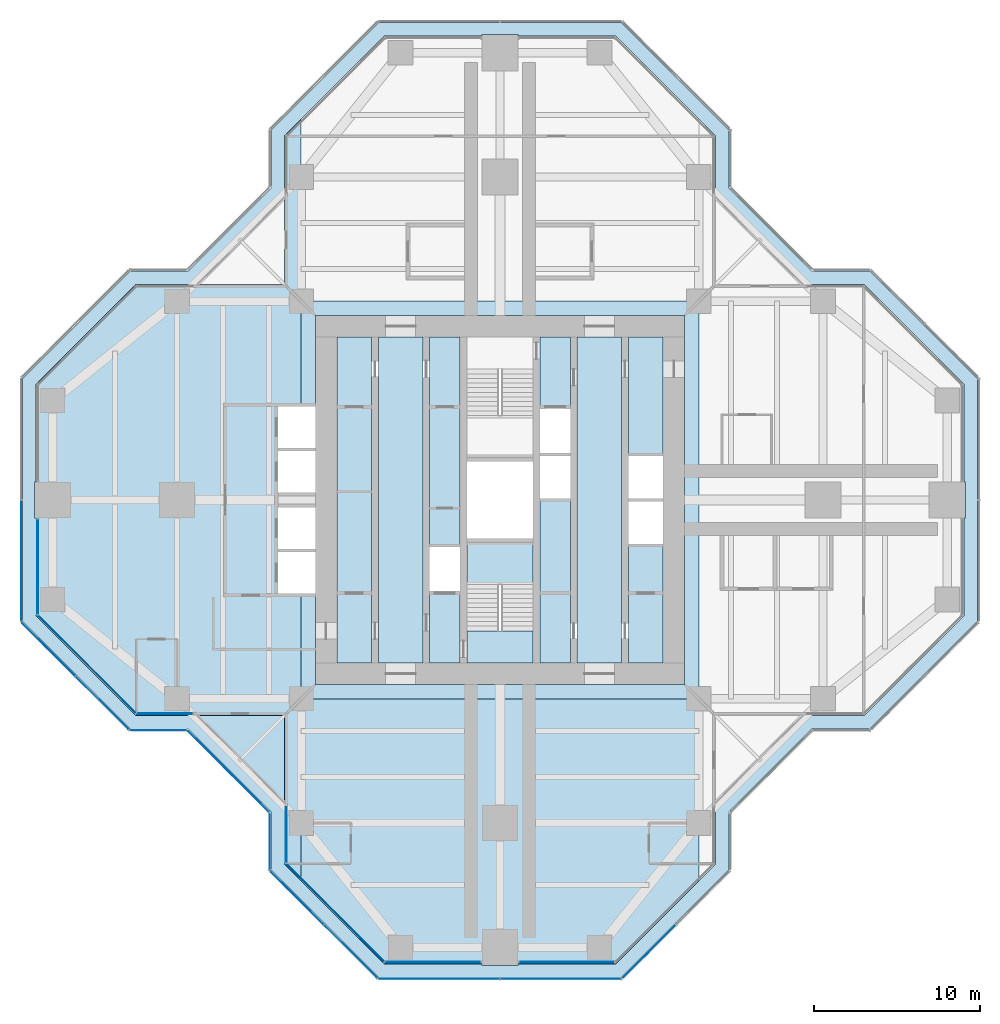
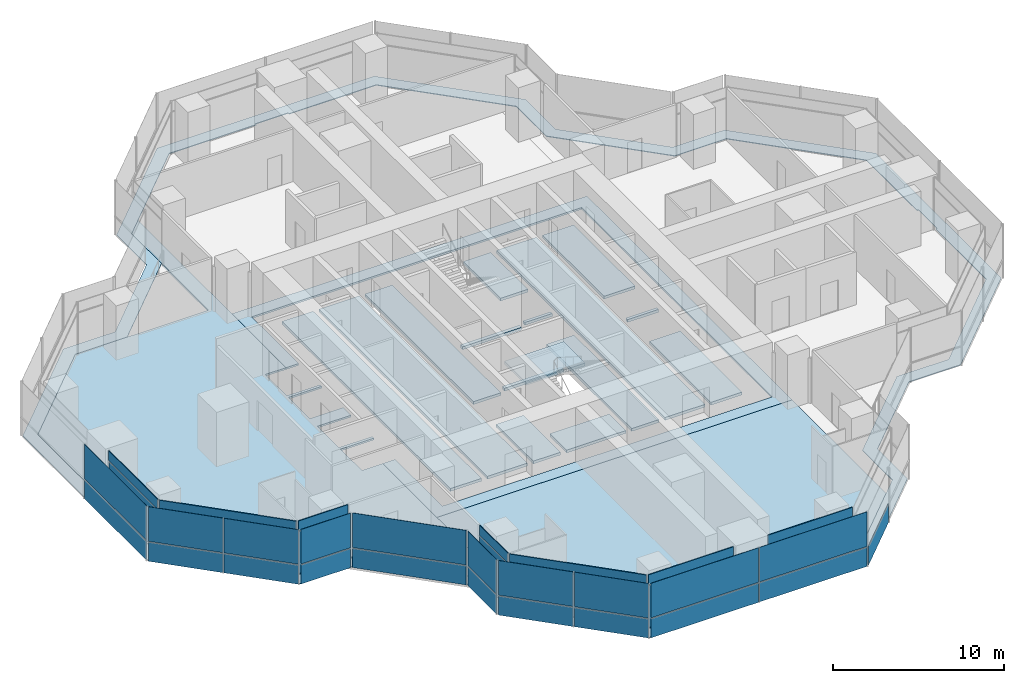
# One storey, part 10 of 17: 36 plates, 7 slabs, 16 elements without a shape of their own.
"""IFC4 building model written with IfcOpenShell, lengths in metres."""

from ifc_helpers import new_model, si_unit, direction, frame, origin, origin_2d, place, context, subcontext, project, spatial, polyline, rectangle, outline, extrude, material, layer, layer_set, type_object, element, aggregate, save


model = new_model("IFC4")

# Units and contexts
model_context = context("Model", 3, precision=1e-05, world=origin(), true_north=direction((0.0, 1.0)))
body_context = subcontext(model_context, "Body", "Model", "MODEL_VIEW")
ifc_project = project(units=[si_unit("LENGTHUNIT", "METRE"), si_unit("AREAUNIT", "SQUARE_METRE"), si_unit("VOLUMEUNIT", "CUBIC_METRE"), si_unit("PLANEANGLEUNIT", "RADIAN"), si_unit("MASSUNIT", "GRAM", prefix="KILO")], contexts=[model_context])

# Site, building, storey
site_placement = place(None, origin())
site = spatial("IfcSite", under=ifc_project, at=site_placement, CompositionType="ELEMENT")
building_placement = place(site_placement, origin())
building = spatial("IfcBuilding", under=site, at=building_placement, Name="Mizan Broadcast Tower", CompositionType="ELEMENT")
storey_placement = place(building_placement, frame((0.0, 0.0, 228.300048828125)))
storey = spatial("IfcBuildingStorey", under=building, at=storey_placement, Name="L53", CompositionType="ELEMENT", Elevation=228.300048828125)

# Plate
ifc_material_1 = material(Name="Aluminium grating", Category="aluminium")
ifc_layer_1 = layer(ifc_material_1, 0.050048828125)
ifc_layer_set_1 = layer_set([ifc_layer_1], Name="Aluminium grating")
plate_type_1 = type_object("IfcPlateType", Name="CAVITY GRATING", PredefinedType="USERDEFINED", material=ifc_layer_set_1)
plate_1_placement = place(storey_placement, frame((0.0, 0.0, -0.050048828125)))
element("IfcPlate", 1, at=plate_1_placement, inside=storey, type_object=plate_type_1, Name="Cavity grating L53", ObjectType="GRATING", PredefinedType="USERDEFINED", context=body_context, shape_type="SweptSolid", body=[
    extrude(outline(polyline([(13.820068359375, -18.839599609375), (18.839599609375, -13.820068359375), (22.339599609375, -13.820068359375), (28.820068359375, -7.339599609375), (28.820068359375, 7.339599609375), (22.339599609375, 13.820068359375), (18.839599609375, 13.820068359375), (13.820068359375, 18.839599609375), (13.820068359375, 22.339599609375), (7.339599609375, 28.820068359375), (-7.339599609375, 28.820068359375), (-13.820068359375, 22.339599609375), (-13.820068359375, 18.839599609375), (-18.839599609375, 13.820068359375), (-22.339599609375, 13.820068359375), (-28.820068359375, 7.339599609375), (-28.820068359375, -7.339599609375), (-22.339599609375, -13.820068359375), (-18.839599609375, -13.820068359375), (-13.820068359375, -18.839599609375), (-13.820068359375, -22.339599609375), (-7.339599609375, -28.820068359375), (7.339599609375, -28.820068359375), (13.820068359375, -22.339599609375), (13.820068359375, -18.839599609375)]), holes=[polyline([(28.0, -1.10009765625), (28.0, -7.0), (22.0, -13.0), (18.5, -13.0), (13.0, -18.5), (13.0, -22.0), (7.0, -28.0), (1.10009765625, -28.0), (1.10009765625, -28.10009765625), (-1.10009765625, -28.10009765625), (-1.10009765625, -28.0), (-7.0, -28.0), (-13.0, -22.0), (-13.0, -18.5), (-18.5, -13.0), (-22.0, -13.0), (-28.0, -7.0), (-28.0, -1.10009765625), (-28.10009765625, -1.10009765625), (-28.10009765625, 1.10009765625), (-28.0, 1.10009765625), (-28.0, 7.0), (-22.0, 13.0), (-18.5, 13.0), (-13.0, 18.5), (-13.0, 22.0), (-7.0, 28.0), (-1.10009765625, 28.0), (-1.10009765625, 28.10009765625), (1.10009765625, 28.10009765625), (1.10009765625, 28.0), (7.0, 28.0), (13.0, 22.0), (13.0, 18.5), (18.5, 13.0), (22.0, 13.0), (28.0, 7.0), (28.0, 1.10009765625), (28.10009765625, 1.10009765625), (28.10009765625, -1.10009765625), (28.0, -1.10009765625)])]), origin(), (0.0, 0.0, 1.0), 0.050048828125),
])

# Slabs
ifc_material_2 = material(Name="Concrete C32/40", Category="concrete")
ifc_layer_2 = layer(ifc_material_2, 0.1298828125)
ifc_layer_set_2 = layer_set([ifc_layer_2], Name="Concrete C32/40")
slab_type_1 = type_object("IfcSlabType", Name="COMPOSITE DECK SLAB 130", PredefinedType="FLOOR", material=ifc_layer_set_2)
slab_1_placement = place(storey_placement, frame((0.0, 0.0, -0.130126953125)))
element("IfcSlab", 2, at=slab_1_placement, inside=storey, type_object=slab_type_1, Name="Floor slab L53 centre", PredefinedType="FLOOR", context=body_context, shape_type="SweptSolid", body=[
    extrude(outline(polyline([(-11.14990234375, -5.64990234375), (-12.0, -5.64990234375), (-12.0, -12.0), (12.0, -12.0), (12.0, 12.0), (-12.0, 12.0), (-12.0, 5.64990234375), (-11.14990234375, 5.64990234375), (-11.14990234375, 11.14990234375), (11.14990234375, 11.14990234375), (11.14990234375, -11.14990234375), (-11.14990234375, -11.14990234375), (-11.14990234375, -5.64990234375)])), origin(), (0.0, 0.0, 1.0), 0.130126953125),
])
slab_2_placement = place(storey_placement, frame((0.0, 0.0, -0.130126953125)))
element("IfcSlab", 3, at=slab_2_placement, inside=storey, type_object=slab_type_1, Name="Floor slab L53 west arm", PredefinedType="FLOOR", context=body_context, shape_type="SweptSolid", body=[
    extrude(outline(polyline([(-22.0, 13.0), (-28.0, 7.0), (-28.0, -7.0), (-22.0, -13.0), (-13.0, -13.0), (-13.0, -22.0), (-12.0, -23.0), (-12.0, -5.64990234375), (-13.39990234375, -5.64990234375), (-13.39990234375, -3.14990234375), (-11.14990234375, -3.14990234375), (-11.14990234375, -2.949951171875), (-13.39990234375, -2.949951171875), (-13.39990234375, -0.449951171875), (-11.14990234375, -0.449951171875), (-11.14990234375, 0.449951171875), (-13.39990234375, 0.449951171875), (-13.39990234375, 2.949951171875), (-11.14990234375, 2.949951171875), (-11.14990234375, 3.14990234375), (-13.39990234375, 3.14990234375), (-13.39990234375, 5.64990234375), (-12.0, 5.64990234375), (-12.0, 23.0), (-13.0, 22.0), (-13.0, 13.0), (-22.0, 13.0)])), origin(), (0.0, 0.0, 1.0), 0.130126953125),
])
slab_3_placement = place(storey_placement, frame((0.0, 0.0, -0.130126953125)))
element("IfcSlab", 4, at=slab_3_placement, inside=storey, type_object=slab_type_1, Name="Floor slab L53 south arm", PredefinedType="FLOOR", context=body_context, shape_type="SweptSolid", body=[
    extrude(outline(polyline([(7.0, -28.0), (12.0, -23.0), (12.0, -12.0), (-12.0, -12.0), (-12.0, -23.0), (-7.0, -28.0), (7.0, -28.0)])), origin(), (0.0, 0.0, 1.0), 0.130126953125),
])
ifc_material_3 = material(Name="Concrete C40/50", Category="concrete")
ifc_layer_3 = layer(ifc_material_3, 0.199951171875)
ifc_layer_set_3 = layer_set([ifc_layer_3], Name="Concrete C40/50")
slab_type_2 = type_object("IfcSlabType", Name="CORE FLOOR 200", PredefinedType="FLOOR", material=ifc_layer_set_3)
slab_4_placement = place(storey_placement, frame((0.0, 0.0, -0.199951171875)))
element("IfcSlab", 5, at=slab_4_placement, inside=storey, type_object=slab_type_2, Name="Core floor L53", PredefinedType="FLOOR", context=body_context, shape_type="SweptSolid", body=[
    extrude(outline(polyline([(-9.85009765625, -9.85009765625), (-7.75, -9.85009765625), (-7.75, 9.85009765625), (-9.85009765625, 9.85009765625), (-9.85009765625, -9.85009765625)])), origin(), (0.0, 0.0, 1.0), 0.199951171875),
    extrude(outline(polyline([(-4.64990234375, 9.85009765625), (-7.35009765625, 9.85009765625), (-7.35009765625, -9.85009765625), (-4.64990234375, -9.85009765625), (-4.64990234375, 9.85009765625)])), origin(), (0.0, 0.0, 1.0), 0.199951171875),
    extrude(outline(polyline([(-4.25, -5.5), (-4.25, -9.85009765625), (-2.39990234375, -9.85009765625), (-2.39990234375, -5.5), (-4.25, -5.5)])), origin(), (0.0, 0.0, 1.0), 0.199951171875),
    extrude(outline(polyline([(-4.25, -2.85009765625), (-2.39990234375, -2.85009765625), (-2.39990234375, 9.85009765625), (-4.25, 9.85009765625), (-4.25, -2.85009765625)])), origin(), (0.0, 0.0, 1.0), 0.199951171875),
    extrude(outline(polyline([(2.0, -2.324951171875), (-2.0, -2.324951171875), (-2.0, -2.574951171875), (2.0, -2.574951171875), (2.0, -2.324951171875)])), origin(), (0.0, 0.0, 1.0), 0.199951171875),
    extrude(outline(polyline([(2.0, 2.574951171875), (-2.0, 2.574951171875), (-2.0, 2.324951171875), (2.0, 2.324951171875), (2.0, 2.574951171875)])), origin(), (0.0, 0.0, 1.0), 0.199951171875),
    extrude(outline(polyline([(4.25, -9.85009765625), (4.25, 0.10009765625), (2.39990234375, 0.10009765625), (2.39990234375, -9.85009765625), (4.25, -9.85009765625)])), origin(), (0.0, 0.0, 1.0), 0.199951171875),
    extrude(outline(polyline([(4.25, 2.64990234375), (4.25, 2.85009765625), (2.39990234375, 2.85009765625), (2.39990234375, 2.64990234375), (4.25, 2.64990234375)])), origin(), (0.0, 0.0, 1.0), 0.199951171875),
    extrude(outline(polyline([(4.25, 5.5), (4.25, 9.85009765625), (2.39990234375, 9.85009765625), (2.39990234375, 5.5), (4.25, 5.5)])), origin(), (0.0, 0.0, 1.0), 0.199951171875),
    extrude(outline(polyline([(4.64990234375, 9.85009765625), (4.64990234375, -9.85009765625), (7.35009765625, -9.85009765625), (7.35009765625, 9.85009765625), (4.64990234375, 9.85009765625)])), origin(), (0.0, 0.0, 1.0), 0.199951171875),
    extrude(outline(polyline([(9.85009765625, -9.85009765625), (9.85009765625, -2.64990234375), (7.75, -2.64990234375), (7.75, -9.85009765625), (9.85009765625, -9.85009765625)])), origin(), (0.0, 0.0, 1.0), 0.199951171875),
    extrude(outline(polyline([(9.85009765625, -0.10009765625), (9.85009765625, 0.10009765625), (7.75, 0.10009765625), (7.75, -0.10009765625), (9.85009765625, -0.10009765625)])), origin(), (0.0, 0.0, 1.0), 0.199951171875),
    extrude(outline(polyline([(7.75, 9.85009765625), (7.75, 2.64990234375), (9.85009765625, 2.64990234375), (9.85009765625, 9.85009765625), (7.75, 9.85009765625)])), origin(), (0.0, 0.0, 1.0), 0.199951171875),
])

# Curtain wall, plate
ifc_material_4 = material(Name="Aluminium framed glazing", Category="aluminium")
curtain_wall_type_1 = type_object("IfcCurtainWallType", Name="INNER SKIN HIGH ZONE", PredefinedType="USERDEFINED", material=ifc_material_4)
curtain_wall_1_placement = place(storey_placement, origin())
curtain_wall_1 = element("IfcCurtainWall", 6, at=curtain_wall_1_placement, inside=storey, type_object=curtain_wall_type_1, Name="Inner skin high zone L53 W end", ObjectType="INNER SKIN HIGH ZONE", PredefinedType="USERDEFINED")
ifc_material_5 = material(Name="Double glazing, clear low-e", Category="glass")
ifc_layer_4 = layer(ifc_material_5, 0.028076171875)
ifc_layer_set_4 = layer_set([ifc_layer_4], Name="Double glazing, clear low-e")
plate_type_2 = type_object("IfcPlateType", Name="INNER SKIN GLAZING UNIT", PredefinedType="CURTAIN_PANEL", material=ifc_layer_set_4)
plate_2_placement = place(storey_placement, frame((-27.89990234375, -4.029296875, 0.0), z_axis=(0.0, 0.0, 1.0), x_axis=(0.0, -1.0, 0.0)))
plate_2 = element("IfcPlate", 7, at=plate_2_placement, type_object=plate_type_2, Name="Inner skin high zone L53 W end panel 1.1", PredefinedType="CURTAIN_PANEL", context=body_context, shape_type="SweptSolid", body=[
    extrude(rectangle(XDim=5.738525390625, YDim=0.028076171875, at=origin_2d()), origin(), (0.0, 0.0, 1.0), 3.0),
])

curtain_wall_2_placement = place(storey_placement, origin())
curtain_wall_2 = element("IfcCurtainWall", 8, at=curtain_wall_2_placement, inside=storey, type_object=curtain_wall_type_1, Name="Inner skin high zone L53 W chamfer", ObjectType="INNER SKIN HIGH ZONE", PredefinedType="USERDEFINED")
plate_3_placement = place(storey_placement, frame((-24.92919921875, -9.92919921875, 0.0), z_axis=(0.0, 0.0, 1.0), x_axis=(0.707106781187, -0.707106781187, 0.0)))
plate_3 = element("IfcPlate", 9, at=plate_3_placement, type_object=plate_type_2, Name="Inner skin high zone L53 W chamfer panel 1.1", PredefinedType="CURTAIN_PANEL", context=body_context, shape_type="SweptSolid", body=[
    extrude(rectangle(XDim=8.282470703125, YDim=0.028076171875, at=origin_2d()), origin(), (0.0, 0.0, 1.0), 3.0),
])

curtain_wall_3_placement = place(storey_placement, origin())
curtain_wall_3 = element("IfcCurtainWall", 10, at=curtain_wall_3_placement, inside=storey, type_object=curtain_wall_type_1, Name="Inner skin high zone L53 W side", ObjectType="INNER SKIN HIGH ZONE", PredefinedType="USERDEFINED")
plate_4_placement = place(storey_placement, frame((-20.229248046875, -12.89990234375, 0.0), z_axis=(0.0, 0.0, 1.0), x_axis=(1.0, 0.0, 0.0)))
plate_4 = element("IfcPlate", 11, at=plate_4_placement, type_object=plate_type_2, Name="Inner skin high zone L53 W side panel 1.1", PredefinedType="CURTAIN_PANEL", context=body_context, shape_type="SweptSolid", body=[
    extrude(rectangle(XDim=3.338623046875, YDim=0.028076171875, at=origin_2d()), origin(), (0.0, 0.0, 1.0), 3.0),
])

curtain_wall_4_placement = place(storey_placement, origin())
curtain_wall_4 = element("IfcCurtainWall", 12, at=curtain_wall_4_placement, inside=storey, type_object=curtain_wall_type_1, Name="Inner skin high zone L53 S side", ObjectType="INNER SKIN HIGH ZONE", PredefinedType="USERDEFINED")
plate_5_placement = place(storey_placement, frame((-12.89990234375, -20.229248046875, 0.0), z_axis=(0.0, 0.0, 1.0), x_axis=(0.0, -1.0, 0.0)))
plate_5 = element("IfcPlate", 13, at=plate_5_placement, type_object=plate_type_2, Name="Inner skin high zone L53 S side panel 1.1", PredefinedType="CURTAIN_PANEL", context=body_context, shape_type="SweptSolid", body=[
    extrude(rectangle(XDim=3.338623046875, YDim=0.028076171875, at=origin_2d()), origin(), (0.0, 0.0, 1.0), 3.0),
])

curtain_wall_5_placement = place(storey_placement, origin())
curtain_wall_5 = element("IfcCurtainWall", 14, at=curtain_wall_5_placement, inside=storey, type_object=curtain_wall_type_1, Name="Inner skin high zone L53 S chamfer", ObjectType="INNER SKIN HIGH ZONE", PredefinedType="USERDEFINED")
plate_6_placement = place(storey_placement, frame((-9.92919921875, -24.92919921875, 0.0), z_axis=(0.0, 0.0, 1.0), x_axis=(0.707106781187, -0.707106781187, 0.0)))
plate_6 = element("IfcPlate", 15, at=plate_6_placement, type_object=plate_type_2, Name="Inner skin high zone L53 S chamfer panel 1.1", PredefinedType="CURTAIN_PANEL", context=body_context, shape_type="SweptSolid", body=[
    extrude(rectangle(XDim=8.282470703125, YDim=0.028076171875, at=origin_2d()), origin(), (0.0, 0.0, 1.0), 3.0),
])

curtain_wall_6_placement = place(storey_placement, origin())
curtain_wall_6 = element("IfcCurtainWall", 16, at=curtain_wall_6_placement, inside=storey, type_object=curtain_wall_type_1, Name="Inner skin high zone L53 S end", ObjectType="INNER SKIN HIGH ZONE", PredefinedType="USERDEFINED")
plate_7_placement = place(storey_placement, frame((-4.029296875, -27.89990234375, 0.0), z_axis=(0.0, 0.0, 1.0), x_axis=(1.0, 0.0, 0.0)))
plate_7 = element("IfcPlate", 17, at=plate_7_placement, type_object=plate_type_2, Name="Inner skin high zone L53 S end panel 1.1", PredefinedType="CURTAIN_PANEL", context=body_context, shape_type="SweptSolid", body=[
    extrude(rectangle(XDim=5.738525390625, YDim=0.028076171875, at=origin_2d()), origin(), (0.0, 0.0, 1.0), 3.0),
])

curtain_wall_7_placement = place(storey_placement, origin())
curtain_wall_7 = element("IfcCurtainWall", 18, at=curtain_wall_7_placement, inside=storey, type_object=curtain_wall_type_1, Name="Inner skin high zone L53 S end", ObjectType="INNER SKIN HIGH ZONE", PredefinedType="USERDEFINED")
plate_8_placement = place(storey_placement, frame((4.029296875, -27.89990234375, 0.0), z_axis=(0.0, 0.0, 1.0), x_axis=(1.0, 0.0, 0.0)))
plate_8 = element("IfcPlate", 19, at=plate_8_placement, type_object=plate_type_2, Name="Inner skin high zone L53 S end panel 1.1", PredefinedType="CURTAIN_PANEL", context=body_context, shape_type="SweptSolid", body=[
    extrude(rectangle(XDim=5.738525390625, YDim=0.028076171875, at=origin_2d()), origin(), (0.0, 0.0, 1.0), 3.0),
])

# Plate
ifc_material_6 = material(Name="Insulated aluminium spandrel panel, pale anodised", Category="aluminium")
ifc_layer_5 = layer(ifc_material_6, 0.050048828125)
ifc_layer_set_5 = layer_set([ifc_layer_5], Name="Insulated aluminium spandrel panel, pale anodised")
plate_type_3 = type_object("IfcPlateType", Name="INNER SKIN SPANDREL PANEL", PredefinedType="CURTAIN_PANEL", material=ifc_layer_set_5)
plate_9_placement = place(storey_placement, frame((-27.89990234375, -4.029296875, 3.06005859375), z_axis=(0.0, 0.0, 1.0), x_axis=(0.0, -1.0, 0.0)))
plate_9 = element("IfcPlate", 20, at=plate_9_placement, type_object=plate_type_3, Name="Inner skin high zone L53 W end panel 1.2", PredefinedType="CURTAIN_PANEL", context=body_context, shape_type="SweptSolid", body=[
    extrude(rectangle(XDim=5.738525390625, YDim=0.050048828125, at=origin_2d()), origin(), (0.0, 0.0, 1.0), 0.7099609375),
])

aggregate(curtain_wall_1, [plate_2, plate_9])

plate_10_placement = place(storey_placement, frame((-24.92919921875, -9.92919921875, 3.06005859375), z_axis=(0.0, 0.0, 1.0), x_axis=(0.707106781187, -0.707106781187, 0.0)))
plate_10 = element("IfcPlate", 21, at=plate_10_placement, type_object=plate_type_3, Name="Inner skin high zone L53 W chamfer panel 1.2", PredefinedType="CURTAIN_PANEL", context=body_context, shape_type="SweptSolid", body=[
    extrude(rectangle(XDim=8.282470703125, YDim=0.050048828125, at=origin_2d()), origin(), (0.0, 0.0, 1.0), 0.7099609375),
])

aggregate(curtain_wall_2, [plate_3, plate_10])

plate_11_placement = place(storey_placement, frame((-20.229248046875, -12.89990234375, 3.06005859375), z_axis=(0.0, 0.0, 1.0), x_axis=(1.0, 0.0, 0.0)))
plate_11 = element("IfcPlate", 22, at=plate_11_placement, type_object=plate_type_3, Name="Inner skin high zone L53 W side panel 1.2", PredefinedType="CURTAIN_PANEL", context=body_context, shape_type="SweptSolid", body=[
    extrude(rectangle(XDim=3.338623046875, YDim=0.050048828125, at=origin_2d()), origin(), (0.0, 0.0, 1.0), 0.7099609375),
])

aggregate(curtain_wall_3, [plate_4, plate_11])

plate_12_placement = place(storey_placement, frame((-12.89990234375, -20.229248046875, 3.06005859375), z_axis=(0.0, 0.0, 1.0), x_axis=(0.0, -1.0, 0.0)))
plate_12 = element("IfcPlate", 23, at=plate_12_placement, type_object=plate_type_3, Name="Inner skin high zone L53 S side panel 1.2", PredefinedType="CURTAIN_PANEL", context=body_context, shape_type="SweptSolid", body=[
    extrude(rectangle(XDim=3.338623046875, YDim=0.050048828125, at=origin_2d()), origin(), (0.0, 0.0, 1.0), 0.7099609375),
])

aggregate(curtain_wall_4, [plate_5, plate_12])

plate_13_placement = place(storey_placement, frame((-9.92919921875, -24.92919921875, 3.06005859375), z_axis=(0.0, 0.0, 1.0), x_axis=(0.707106781187, -0.707106781187, 0.0)))
plate_13 = element("IfcPlate", 24, at=plate_13_placement, type_object=plate_type_3, Name="Inner skin high zone L53 S chamfer panel 1.2", PredefinedType="CURTAIN_PANEL", context=body_context, shape_type="SweptSolid", body=[
    extrude(rectangle(XDim=8.282470703125, YDim=0.050048828125, at=origin_2d()), origin(), (0.0, 0.0, 1.0), 0.7099609375),
])

aggregate(curtain_wall_5, [plate_6, plate_13])

plate_14_placement = place(storey_placement, frame((-4.029296875, -27.89990234375, 3.06005859375), z_axis=(0.0, 0.0, 1.0), x_axis=(1.0, 0.0, 0.0)))
plate_14 = element("IfcPlate", 25, at=plate_14_placement, type_object=plate_type_3, Name="Inner skin high zone L53 S end panel 1.2", PredefinedType="CURTAIN_PANEL", context=body_context, shape_type="SweptSolid", body=[
    extrude(rectangle(XDim=5.738525390625, YDim=0.050048828125, at=origin_2d()), origin(), (0.0, 0.0, 1.0), 0.7099609375),
])

aggregate(curtain_wall_6, [plate_7, plate_14])

plate_15_placement = place(storey_placement, frame((4.029296875, -27.89990234375, 3.06005859375), z_axis=(0.0, 0.0, 1.0), x_axis=(1.0, 0.0, 0.0)))
plate_15 = element("IfcPlate", 26, at=plate_15_placement, type_object=plate_type_3, Name="Inner skin high zone L53 S end panel 1.2", PredefinedType="CURTAIN_PANEL", context=body_context, shape_type="SweptSolid", body=[
    extrude(rectangle(XDim=5.738525390625, YDim=0.050048828125, at=origin_2d()), origin(), (0.0, 0.0, 1.0), 0.7099609375),
])

aggregate(curtain_wall_7, [plate_8, plate_15])

# Curtain wall, plates
ifc_material_7 = material(Name="Aluminium framed glazing", Category="aluminium")
curtain_wall_type_2 = type_object("IfcCurtainWallType", Name="OUTER SKIN", PredefinedType="USERDEFINED", material=ifc_material_7)
curtain_wall_8_placement = place(storey_placement, origin())
curtain_wall_8 = element("IfcCurtainWall", 27, at=curtain_wall_8_placement, inside=storey, type_object=curtain_wall_type_2, Name="Outer skin L53 W chamfer", ObjectType="OUTER SKIN", PredefinedType="USERDEFINED")
ifc_material_8 = material(Name="Laminated clear glass", Category="glass")
ifc_layer_6 = layer(ifc_material_8, 0.02001953125)
ifc_layer_set_6 = layer_set([ifc_layer_6], Name="Laminated clear glass")
plate_type_4 = type_object("IfcPlateType", Name="OUTER SKIN CLEAR GLASS", PredefinedType="CURTAIN_PANEL", material=ifc_layer_set_6)
plate_16_placement = place(storey_placement, frame((-27.254150390625, -9.018798828125, 0.0), z_axis=(0.0, 0.0, 1.0), x_axis=(0.707106781187, -0.707106781187, 0.0)))
plate_16 = element("IfcPlate", 28, at=plate_16_placement, type_object=plate_type_4, Name="Outer skin L53 W chamfer panel 1.1", PredefinedType="CURTAIN_PANEL", context=body_context, shape_type="SweptSolid", body=[
    extrude(rectangle(XDim=4.495361328125, YDim=0.02001953125, at=origin_2d()), origin(), (0.0, 0.0, 1.0), 1.3701171875),
])
plate_17_placement = place(storey_placement, frame((-27.254150390625, -9.018798828125, 1.43017578125), z_axis=(0.0, 0.0, 1.0), x_axis=(0.707106781187, -0.707106781187, 0.0)))
plate_17 = element("IfcPlate", 29, at=plate_17_placement, type_object=plate_type_4, Name="Outer skin L53 W chamfer panel 1.2", PredefinedType="CURTAIN_PANEL", context=body_context, shape_type="SweptSolid", body=[
    extrude(rectangle(XDim=4.495361328125, YDim=0.02001953125, at=origin_2d()), origin(), (0.0, 0.0, 1.0), 2.469970703125),
])

curtain_wall_9_placement = place(storey_placement, origin())
curtain_wall_9 = element("IfcCurtainWall", 30, at=curtain_wall_9_placement, inside=storey, type_object=curtain_wall_type_2, Name="Outer skin L53 W side", ObjectType="OUTER SKIN", PredefinedType="USERDEFINED")
plate_18_placement = place(storey_placement, frame((-20.622802734375, -13.89990234375, 0.0), z_axis=(0.0, 0.0, 1.0), x_axis=(1.0, 0.0, 0.0)))
plate_18 = element("IfcPlate", 31, at=plate_18_placement, type_object=plate_type_4, Name="Outer skin L53 W side panel 1.1", PredefinedType="CURTAIN_PANEL", context=body_context, shape_type="SweptSolid", body=[
    extrude(rectangle(XDim=3.340087890625, YDim=0.02001953125, at=origin_2d()), origin(), (0.0, 0.0, 1.0), 1.3701171875),
])
plate_19_placement = place(storey_placement, frame((-20.622802734375, -13.89990234375, 1.43017578125), z_axis=(0.0, 0.0, 1.0), x_axis=(1.0, 0.0, 0.0)))
plate_19 = element("IfcPlate", 32, at=plate_19_placement, type_object=plate_type_4, Name="Outer skin L53 W side panel 1.2", PredefinedType="CURTAIN_PANEL", context=body_context, shape_type="SweptSolid", body=[
    extrude(rectangle(XDim=3.340087890625, YDim=0.02001953125, at=origin_2d()), origin(), (0.0, 0.0, 1.0), 2.469970703125),
])
aggregate(curtain_wall_9, [plate_18, plate_19])

curtain_wall_10_placement = place(storey_placement, origin())
curtain_wall_10 = element("IfcCurtainWall", 33, at=curtain_wall_10_placement, inside=storey, type_object=curtain_wall_type_2, Name="Outer skin L53 W chamfer", ObjectType="OUTER SKIN", PredefinedType="USERDEFINED")
plate_20_placement = place(storey_placement, frame((-16.386474609375, -16.386474609375, 0.0), z_axis=(0.0, 0.0, 1.0), x_axis=(0.707106781187, -0.707106781187, 0.0)))
plate_20 = element("IfcPlate", 34, at=plate_20_placement, type_object=plate_type_4, Name="Outer skin L53 W chamfer panel 1.1", PredefinedType="CURTAIN_PANEL", context=body_context, shape_type="SweptSolid", body=[
    extrude(rectangle(XDim=6.87255859375, YDim=0.02001953125, at=origin_2d()), origin(), (0.0, 0.0, 1.0), 1.3701171875),
])
plate_21_placement = place(storey_placement, frame((-16.386474609375, -16.386474609375, 1.43017578125), z_axis=(0.0, 0.0, 1.0), x_axis=(0.707106781187, -0.707106781187, 0.0)))
plate_21 = element("IfcPlate", 35, at=plate_21_placement, type_object=plate_type_4, Name="Outer skin L53 W chamfer panel 1.2", PredefinedType="CURTAIN_PANEL", context=body_context, shape_type="SweptSolid", body=[
    extrude(rectangle(XDim=6.87255859375, YDim=0.02001953125, at=origin_2d()), origin(), (0.0, 0.0, 1.0), 2.469970703125),
])
aggregate(curtain_wall_10, [plate_20, plate_21])

curtain_wall_11_placement = place(storey_placement, origin())
curtain_wall_11 = element("IfcCurtainWall", 36, at=curtain_wall_11_placement, inside=storey, type_object=curtain_wall_type_2, Name="Outer skin L53 S side", ObjectType="OUTER SKIN", PredefinedType="USERDEFINED")
plate_22_placement = place(storey_placement, frame((-13.89990234375, -20.622802734375, 0.0), z_axis=(0.0, 0.0, 1.0), x_axis=(0.0, -1.0, 0.0)))
plate_22 = element("IfcPlate", 37, at=plate_22_placement, type_object=plate_type_4, Name="Outer skin L53 S side panel 1.1", PredefinedType="CURTAIN_PANEL", context=body_context, shape_type="SweptSolid", body=[
    extrude(rectangle(XDim=3.340087890625, YDim=0.02001953125, at=origin_2d()), origin(), (0.0, 0.0, 1.0), 1.3701171875),
])
plate_23_placement = place(storey_placement, frame((-13.89990234375, -20.622802734375, 1.43017578125), z_axis=(0.0, 0.0, 1.0), x_axis=(0.0, -1.0, 0.0)))
plate_23 = element("IfcPlate", 38, at=plate_23_placement, type_object=plate_type_4, Name="Outer skin L53 S side panel 1.2", PredefinedType="CURTAIN_PANEL", context=body_context, shape_type="SweptSolid", body=[
    extrude(rectangle(XDim=3.340087890625, YDim=0.02001953125, at=origin_2d()), origin(), (0.0, 0.0, 1.0), 2.469970703125),
])
aggregate(curtain_wall_11, [plate_22, plate_23])

curtain_wall_12_placement = place(storey_placement, origin())
curtain_wall_12 = element("IfcCurtainWall", 39, at=curtain_wall_12_placement, inside=storey, type_object=curtain_wall_type_2, Name="Outer skin L53 S chamfer", ObjectType="OUTER SKIN", PredefinedType="USERDEFINED")
plate_24_placement = place(storey_placement, frame((-12.254150390625, -24.018798828125, 0.0), z_axis=(0.0, 0.0, 1.0), x_axis=(0.707106781187, -0.707106781187, 0.0)))
plate_24 = element("IfcPlate", 40, at=plate_24_placement, type_object=plate_type_4, Name="Outer skin L53 S chamfer panel 1.1", PredefinedType="CURTAIN_PANEL", context=body_context, shape_type="SweptSolid", body=[
    extrude(rectangle(XDim=4.495361328125, YDim=0.02001953125, at=origin_2d()), origin(), (0.0, 0.0, 1.0), 1.3701171875),
])
plate_25_placement = place(storey_placement, frame((-12.254150390625, -24.018798828125, 1.43017578125), z_axis=(0.0, 0.0, 1.0), x_axis=(0.707106781187, -0.707106781187, 0.0)))
plate_25 = element("IfcPlate", 41, at=plate_25_placement, type_object=plate_type_4, Name="Outer skin L53 S chamfer panel 1.2", PredefinedType="CURTAIN_PANEL", context=body_context, shape_type="SweptSolid", body=[
    extrude(rectangle(XDim=4.495361328125, YDim=0.02001953125, at=origin_2d()), origin(), (0.0, 0.0, 1.0), 2.469970703125),
])

curtain_wall_13_placement = place(storey_placement, origin())
curtain_wall_13 = element("IfcCurtainWall", 42, at=curtain_wall_13_placement, inside=storey, type_object=curtain_wall_type_2, Name="Outer skin L53 S end", ObjectType="OUTER SKIN", PredefinedType="USERDEFINED")
plate_26_placement = place(storey_placement, frame((-3.66650390625, -28.89990234375, 0.0), z_axis=(0.0, 0.0, 1.0), x_axis=(1.0, 0.0, 0.0)))
plate_26 = element("IfcPlate", 43, at=plate_26_placement, type_object=plate_type_4, Name="Outer skin L53 S end panel 1.1", PredefinedType="CURTAIN_PANEL", context=body_context, shape_type="SweptSolid", body=[
    extrude(rectangle(XDim=7.252685546875, YDim=0.02001953125, at=origin_2d()), origin(), (0.0, 0.0, 1.0), 1.3701171875),
])
plate_27_placement = place(storey_placement, frame((-3.66650390625, -28.89990234375, 1.43017578125), z_axis=(0.0, 0.0, 1.0), x_axis=(1.0, 0.0, 0.0)))
plate_27 = element("IfcPlate", 44, at=plate_27_placement, type_object=plate_type_4, Name="Outer skin L53 S end panel 1.2", PredefinedType="CURTAIN_PANEL", context=body_context, shape_type="SweptSolid", body=[
    extrude(rectangle(XDim=7.252685546875, YDim=0.02001953125, at=origin_2d()), origin(), (0.0, 0.0, 1.0), 2.469970703125),
])

# Curtain wall, plate
curtain_wall_14_placement = place(storey_placement, origin())
curtain_wall_14 = element("IfcCurtainWall", 45, at=curtain_wall_14_placement, inside=storey, type_object=curtain_wall_type_2, Name="Outer skin L53 S chamfer", ObjectType="OUTER SKIN", PredefinedType="USERDEFINED")
plate_28_placement = place(storey_placement, frame((9.018798828125, -27.254150390625, 0.0), z_axis=(0.0, 0.0, 1.0), x_axis=(0.707106781187, 0.707106781187, 0.0)))
plate_28 = element("IfcPlate", 46, at=plate_28_placement, type_object=plate_type_4, Name="Outer skin L53 S chamfer panel 1.1", PredefinedType="CURTAIN_PANEL", context=body_context, shape_type="SweptSolid", body=[
    extrude(rectangle(XDim=4.495361328125, YDim=0.02001953125, at=origin_2d()), origin(), (0.0, 0.0, 1.0), 1.3701171875),
])
aggregate(curtain_wall_14, [plate_28])

# Curtain wall, plates
curtain_wall_15_placement = place(storey_placement, origin())
curtain_wall_15 = element("IfcCurtainWall", 47, at=curtain_wall_15_placement, inside=storey, type_object=curtain_wall_type_2, Name="Outer skin L53 W end", ObjectType="OUTER SKIN", PredefinedType="USERDEFINED")
ifc_material_9 = material(Name="Perforated aluminium, pale anodised", Category="aluminium")
ifc_layer_7 = layer(ifc_material_9, 0.011962890625)
ifc_layer_set_7 = layer_set([ifc_layer_7], Name="Perforated aluminium, pale anodised")
plate_type_5 = type_object("IfcPlateType", Name="OUTER SKIN PERFORATED SCREEN", PredefinedType="USERDEFINED", material=ifc_layer_set_7)
plate_29_placement = place(storey_placement, frame((-28.89990234375, -3.66650390625, 0.0), z_axis=(0.0, 0.0, 1.0), x_axis=(0.0, -1.0, 0.0)))
plate_29 = element("IfcPlate", 48, at=plate_29_placement, type_object=plate_type_5, Name="Outer skin L53 W end panel 2.1", ObjectType="SCREEN", PredefinedType="USERDEFINED", context=body_context, shape_type="SweptSolid", body=[
    extrude(rectangle(XDim=7.252685546875, YDim=0.011962890625, at=origin_2d()), origin(), (0.0, 0.0, 1.0), 1.3701171875),
])
plate_30_placement = place(storey_placement, frame((-28.89990234375, -3.66650390625, 1.43017578125), z_axis=(0.0, 0.0, 1.0), x_axis=(0.0, -1.0, 0.0)))
plate_30 = element("IfcPlate", 49, at=plate_30_placement, type_object=plate_type_5, Name="Outer skin L53 W end panel 2.2", ObjectType="SCREEN", PredefinedType="USERDEFINED", context=body_context, shape_type="SweptSolid", body=[
    extrude(rectangle(XDim=7.252685546875, YDim=0.011962890625, at=origin_2d()), origin(), (0.0, 0.0, 1.0), 2.469970703125),
])
aggregate(curtain_wall_15, [plate_29, plate_30])

# Plate
plate_31_placement = place(storey_placement, frame((-24.018798828125, -12.254150390625, 0.0), z_axis=(0.0, 0.0, 1.0), x_axis=(0.707106781187, -0.707106781187, 0.0)))
plate_31 = element("IfcPlate", 50, at=plate_31_placement, type_object=plate_type_5, Name="Outer skin L53 W chamfer panel 2.1", ObjectType="SCREEN", PredefinedType="USERDEFINED", context=body_context, shape_type="SweptSolid", body=[
    extrude(rectangle(XDim=4.495361328125, YDim=0.011962890625, at=origin_2d()), origin(), (0.0, 0.0, 1.0), 1.3701171875),
])

plate_32_placement = place(storey_placement, frame((-24.018798828125, -12.254150390625, 1.43017578125), z_axis=(0.0, 0.0, 1.0), x_axis=(0.707106781187, -0.707106781187, 0.0)))
plate_32 = element("IfcPlate", 51, at=plate_32_placement, type_object=plate_type_5, Name="Outer skin L53 W chamfer panel 2.2", ObjectType="SCREEN", PredefinedType="USERDEFINED", context=body_context, shape_type="SweptSolid", body=[
    extrude(rectangle(XDim=4.495361328125, YDim=0.011962890625, at=origin_2d()), origin(), (0.0, 0.0, 1.0), 2.469970703125),
])

aggregate(curtain_wall_8, [plate_16, plate_17, plate_31, plate_32])

plate_33_placement = place(storey_placement, frame((-9.018798828125, -27.254150390625, 0.0), z_axis=(0.0, 0.0, 1.0), x_axis=(0.707106781187, -0.707106781187, 0.0)))
plate_33 = element("IfcPlate", 52, at=plate_33_placement, type_object=plate_type_5, Name="Outer skin L53 S chamfer panel 2.1", ObjectType="SCREEN", PredefinedType="USERDEFINED", context=body_context, shape_type="SweptSolid", body=[
    extrude(rectangle(XDim=4.495361328125, YDim=0.011962890625, at=origin_2d()), origin(), (0.0, 0.0, 1.0), 1.3701171875),
])

plate_34_placement = place(storey_placement, frame((-9.018798828125, -27.254150390625, 1.43017578125), z_axis=(0.0, 0.0, 1.0), x_axis=(0.707106781187, -0.707106781187, 0.0)))
plate_34 = element("IfcPlate", 53, at=plate_34_placement, type_object=plate_type_5, Name="Outer skin L53 S chamfer panel 2.2", ObjectType="SCREEN", PredefinedType="USERDEFINED", context=body_context, shape_type="SweptSolid", body=[
    extrude(rectangle(XDim=4.495361328125, YDim=0.011962890625, at=origin_2d()), origin(), (0.0, 0.0, 1.0), 2.469970703125),
])

aggregate(curtain_wall_12, [plate_24, plate_25, plate_33, plate_34])

plate_35_placement = place(storey_placement, frame((3.66650390625, -28.89990234375, 0.0), z_axis=(0.0, 0.0, 1.0), x_axis=(1.0, 0.0, 0.0)))
plate_35 = element("IfcPlate", 54, at=plate_35_placement, type_object=plate_type_5, Name="Outer skin L53 S end panel 2.1", ObjectType="SCREEN", PredefinedType="USERDEFINED", context=body_context, shape_type="SweptSolid", body=[
    extrude(rectangle(XDim=7.252685546875, YDim=0.011962890625, at=origin_2d()), origin(), (0.0, 0.0, 1.0), 1.3701171875),
])

plate_36_placement = place(storey_placement, frame((3.66650390625, -28.89990234375, 1.43017578125), z_axis=(0.0, 0.0, 1.0), x_axis=(1.0, 0.0, 0.0)))
plate_36 = element("IfcPlate", 55, at=plate_36_placement, type_object=plate_type_5, Name="Outer skin L53 S end panel 2.2", ObjectType="SCREEN", PredefinedType="USERDEFINED", context=body_context, shape_type="SweptSolid", body=[
    extrude(rectangle(XDim=7.252685546875, YDim=0.011962890625, at=origin_2d()), origin(), (0.0, 0.0, 1.0), 2.469970703125),
])

aggregate(curtain_wall_13, [plate_26, plate_27, plate_35, plate_36])

# Stair, slabs
ifc_material_10 = material(Name="Concrete C40/50", Category="concrete")
stair_type = type_object("IfcStairType", Name="EXIT STAIR", PredefinedType="HALF_TURN_STAIR", material=ifc_material_10)
stair_placement = place(storey_placement, origin())
stair = element("IfcStair", 56, at=stair_placement, inside=storey, type_object=stair_type, Name="Stair A L53", PredefinedType="HALF_TURN_STAIR")
ifc_material_11 = material(Name="Concrete C40/50", Category="concrete")
ifc_layer_8 = layer(ifc_material_11, 0.199951171875)
ifc_layer_set_8 = layer_set([ifc_layer_8], Name="Concrete C40/50")
slab_type_3 = type_object("IfcSlabType", Name="STAIR LANDING 200", PredefinedType="LANDING", material=ifc_layer_set_8)
slab_5_placement = place(storey_placement, frame((0.0, 0.0, -0.199951171875)))
slab_5 = element("IfcSlab", 57, at=slab_5_placement, type_object=slab_type_3, Name="A landing 1", PredefinedType="LANDING", context=body_context, shape_type="SweptSolid", body=[
    extrude(outline(polyline([(-2.0, -9.85009765625), (-2.0, -7.89990234375), (2.0, -7.89990234375), (2.0, -9.85009765625), (-2.0, -9.85009765625)])), origin(), (0.0, 0.0, 1.0), 0.199951171875),
])
slab_6_placement = place(storey_placement, frame((0.0, 0.0, 1.75)))
slab_6 = element("IfcSlab", 58, at=slab_6_placement, type_object=slab_type_3, Name="A landing 2", PredefinedType="LANDING", context=body_context, shape_type="SweptSolid", body=[
    extrude(outline(polyline([(-2.0, -5.10009765625), (-2.0, -2.574951171875), (2.0, -2.574951171875), (2.0, -5.10009765625), (-2.0, -5.10009765625)])), origin(), (0.0, 0.0, 1.0), 0.199951171875),
])
aggregate(stair, [slab_5, slab_6])

# Slab
ifc_material_12 = material(Name="Concrete C32/40", Category="concrete")
ifc_layer_9 = layer(ifc_material_12, 0.1298828125)
ifc_layer_set_9 = layer_set([ifc_layer_9], Name="Concrete C32/40")
slab_type_4 = type_object("IfcSlabType", Name="WINTER GARDEN SLAB 130", PredefinedType="FLOOR", material=ifc_layer_set_9)
slab_7_placement = place(storey_placement, frame((0.0, 0.0, -0.130126953125)))
element("IfcSlab", 59, at=slab_7_placement, inside=storey, type_object=slab_type_4, Name="Winter garden slab L53 W", PredefinedType="FLOOR", context=body_context, shape_type="SweptSolid", body=[
    extrude(outline(polyline([(-13.0, -13.0), (-18.5, -13.0), (-13.0, -18.5), (-13.0, -13.0)])), origin(), (0.0, 0.0, 1.0), 0.130126953125),
])

save(model, "model.ifc")
